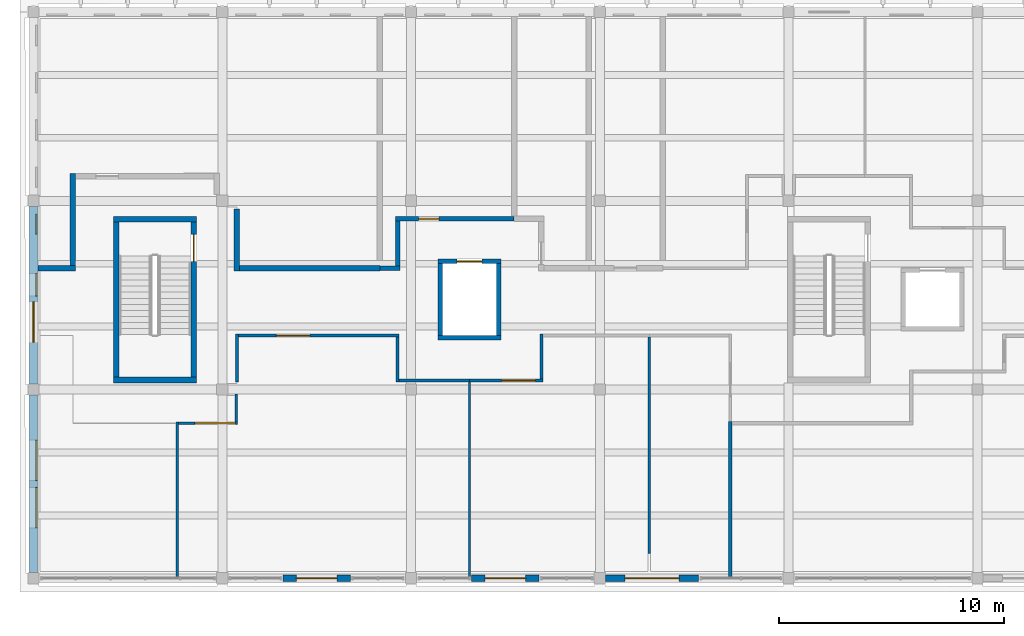
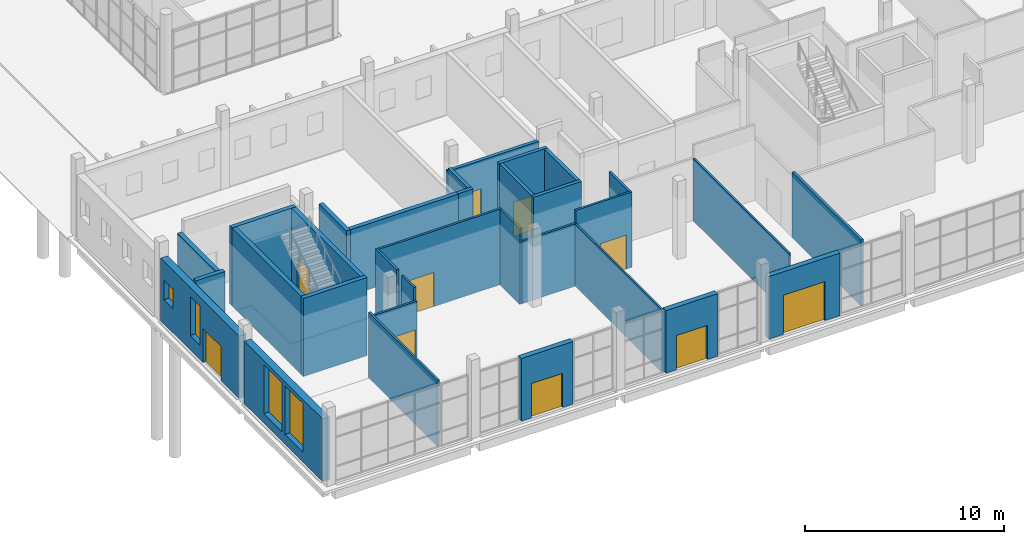
# One storey, part 53 of 110: 32 walls, 10 doors, 4 windows, 14 openings.
"""IFC4 building model written with IfcOpenShell, lengths in metres."""

from ifc_helpers import new_model, si_unit, direction, frame, frame_2d, origin, place, context, subcontext, project, spatial, rectangle, extrude, material, layer, layer_set, type_object, element, fill, save


model = new_model("IFC4")

# Units and contexts
model_context = context("Model", 3, precision=1e-05, world=origin(), true_north=direction((0.0, 1.0)))
body_context = subcontext(model_context, "Body", "Model", "MODEL_VIEW")
ifc_project = project(units=[si_unit("LENGTHUNIT", "METRE"), si_unit("AREAUNIT", "SQUARE_METRE"), si_unit("VOLUMEUNIT", "CUBIC_METRE"), si_unit("PLANEANGLEUNIT", "RADIAN"), si_unit("MASSUNIT", "GRAM", prefix="KILO")], contexts=[model_context])

# Site, building, storey
site_placement = place(None, origin())
site = spatial("IfcSite", under=ifc_project, at=site_placement, CompositionType="ELEMENT")
building_placement = place(site_placement, origin())
building = spatial("IfcBuilding", under=site, at=building_placement, Name="Larchfold Concert Hall", CompositionType="ELEMENT")
storey_placement = place(building_placement, origin())
storey = spatial("IfcBuildingStorey", under=building, at=storey_placement, Name="L00", CompositionType="ELEMENT", Elevation=0.0)

# Wall, opening, door
ifc_material_1 = material(Name="Plasterboard partition on steel studs", Category="steel")
ifc_layer_1 = layer(ifc_material_1, 0.199951171875)
ifc_layer_set_1 = layer_set([ifc_layer_1], Name="Plasterboard partition on steel studs")
wall_type_1 = type_object("IfcWallType", Name="Acoustic partition 200", PredefinedType="PARTITIONING", material=ifc_layer_set_1)
wall_1_placement = place(storey_placement, frame((16.700927734375, 16.59912109375, 0.0), z_axis=(0.0, 0.0, 1.0), x_axis=(1.0, 0.0, 0.0)))
wall_1 = element("IfcWall", 1, at=wall_1_placement, inside=storey, type_object=wall_type_1, Name="Partition IW0146", PredefinedType="PARTITIONING", context=body_context, shape_type="SweptSolid", body=[
    extrude(rectangle(XDim=5.279052734375, YDim=0.199951171875, at=frame_2d((2.6396484375, 0.0))), origin(), (0.0, 0.0, 1.0), 3.840087890625),
])
opening_1_placement = place(wall_1_placement, frame((1.0390625, 0.0, 0.0)))
opening_1 = element("IfcOpeningElement", 2, at=opening_1_placement, cuts=wall_1, Name="Opening D-L00-147", PredefinedType="OPENING", context=body_context, shape_type="SweptSolid", body=[
    extrude(rectangle(XDim=0.89990234375, YDim=2.10009765625, at=frame_2d((0.449951171875, 1.050048828125))), frame((0.0, 0.10986328125, 0.0), z_axis=(0.0, -1.0, 0.0), x_axis=(1.0, 0.0, 0.0)), (0.0, 0.0, 1.0), 0.219970703125),
])
ifc_material_2 = material(Name="Timber door leaf", Category="wood")
door_type_1 = type_object("IfcDoorType", Name="Control room door 900 x 2100 FD60S", OperationType="SINGLE_SWING_LEFT", PredefinedType="DOOR", material=ifc_material_2)
door_1_placement = place(opening_1_placement, origin())
door_1 = element("IfcDoor", 3, at=door_1_placement, inside=storey, type_object=door_type_1, Name="Door D-L00-147", OperationType="SINGLE_SWING_LEFT", OverallHeight=2.10009765625, OverallWidth=0.89990234375, PredefinedType="DOOR", context=body_context, shape_type="SweptSolid", body=[
    extrude(rectangle(XDim=0.89990234375, YDim=2.10009765625, at=frame_2d((0.449951171875, 1.050048828125))), frame((0.0, 0.02490234375, 0.0), z_axis=(0.0, -1.0, 0.0), x_axis=(1.0, 0.0, 0.0)), (0.0, 0.0, 1.0), 0.050048828125),
])
fill(opening_1, door_1)

# Walls
wall_2_placement = place(storey_placement, frame((16.02001953125, 14.39892578125, 0.0), z_axis=(0.0, 0.0, 1.0), x_axis=(1.0, 0.0, 0.0)))
element("IfcWall", 4, at=wall_2_placement, inside=storey, type_object=wall_type_1, Name="Partition IW0147", PredefinedType="PARTITIONING", context=body_context, shape_type="SweptSolid", body=[
    extrude(rectangle(XDim=0.880859375, YDim=0.199951171875, at=frame_2d((0.4404296875, 0.0))), origin(), (0.0, 0.0, 1.0), 4.0400390625),
])
wall_3_placement = place(storey_placement, frame((16.801025390625, 14.4990234375, 0.0), z_axis=(0.0, 0.0, 1.0), x_axis=(0.0, 1.0, 0.0)))
element("IfcWall", 5, at=wall_3_placement, inside=storey, type_object=wall_type_1, Name="Partition IW0148", PredefinedType="PARTITIONING", context=body_context, shape_type="SweptSolid", body=[
    extrude(rectangle(XDim=2.0, YDim=0.199951171875, at=frame_2d((1.0, 0.0))), origin(), (0.0, 0.0, 1.0), 4.0400390625),
])
ifc_material_3 = material(Name="Plasterboard partition on steel studs", Category="steel")
ifc_layer_2 = layer(ifc_material_3, 0.125)
ifc_layer_set_2 = layer_set([ifc_layer_2], Name="Plasterboard partition on steel studs")
wall_type_2 = type_object("IfcWallType", Name="Corridor partition 125 EI 60", PredefinedType="PARTITIONING", material=ifc_layer_set_2)
wall_4_placement = place(storey_placement, frame((7.0, 7.5625, 0.0), z_axis=(0.0, 0.0, 1.0), x_axis=(0.0, -1.0, 0.0)))
element("IfcWall", 6, at=wall_4_placement, inside=storey, type_object=wall_type_2, Name="Partition IW0109", PredefinedType="PARTITIONING", context=body_context, shape_type="SweptSolid", body=[
    extrude(rectangle(XDim=6.90234375, YDim=0.125, at=frame_2d((3.451171875, 0.0))), origin(), (0.0, 0.0, 1.0), 4.0400390625),
])

# Wall, opening, door
wall_5_placement = place(storey_placement, frame((7.0625, 7.5, 0.0), z_axis=(0.0, 0.0, 1.0), x_axis=(1.0, 0.0, 0.0)))
wall_5 = element("IfcWall", 7, at=wall_5_placement, inside=storey, type_object=wall_type_2, Name="Partition IW0111", PredefinedType="PARTITIONING", context=body_context, shape_type="SweptSolid", body=[
    extrude(rectangle(XDim=2.618896484375, YDim=0.125, at=frame_2d((1.3095703125, 0.0))), origin(), (0.0, 0.0, 1.0), 3.840087890625),
])
opening_2_placement = place(wall_5_placement, frame((0.718994140625, 0.0, 0.0)))
opening_2 = element("IfcOpeningElement", 8, at=opening_2_placement, cuts=wall_5, Name="Opening D-L00-228", PredefinedType="OPENING", context=body_context, shape_type="SweptSolid", body=[
    extrude(rectangle(XDim=1.800048828125, YDim=2.10009765625, at=frame_2d((0.89990234375, 1.050048828125))), frame((0.0, 0.072509765625, 0.0), z_axis=(0.0, -1.0, 0.0), x_axis=(1.0, 0.0, 0.0)), (0.0, 0.0, 1.0), 0.14501953125),
])
ifc_material_4 = material(Name="Anodised graphite aluminium door leaf", Category="aluminium")
door_type_2 = type_object("IfcDoorType", Name="Exit door double 1800x2100", OperationType="DOUBLE_DOOR_SINGLE_SWING", PredefinedType="DOOR", material=ifc_material_4)
door_2_placement = place(opening_2_placement, origin())
door_2 = element("IfcDoor", 9, at=door_2_placement, inside=storey, type_object=door_type_2, Name="Door D-L00-228", OperationType="DOUBLE_DOOR_SINGLE_SWING", OverallHeight=2.10009765625, OverallWidth=1.800048828125, PredefinedType="DOOR", context=body_context, shape_type="SweptSolid", body=[
    extrude(rectangle(XDim=1.800048828125, YDim=2.10009765625, at=frame_2d((0.89990234375, 1.050048828125))), frame((0.0, 0.02490234375, 0.0), z_axis=(0.0, -1.0, 0.0), x_axis=(1.0, 0.0, 0.0)), (0.0, 0.0, 1.0), 0.050048828125),
])
fill(opening_2, door_2)

# Walls
wall_6_placement = place(storey_placement, frame((9.618896484375, 7.5625, 0.0), z_axis=(0.0, 0.0, 1.0), x_axis=(0.0, 1.0, 0.0)))
element("IfcWall", 10, at=wall_6_placement, inside=storey, type_object=wall_type_2, Name="Partition IW0112", PredefinedType="PARTITIONING", context=body_context, shape_type="SweptSolid", body=[
    extrude(rectangle(XDim=1.22998046875, YDim=0.125, at=frame_2d((0.614990234375, 0.0))), origin(), (0.0, 0.0, 1.0), 4.639892578125),
])
wall_7_placement = place(storey_placement, frame((9.64990234375, 9.33251953125, 0.0), z_axis=(0.0, 0.0, 1.0), x_axis=(0.0, 1.0, 0.0)))
element("IfcWall", 11, at=wall_7_placement, inside=storey, type_object=wall_type_2, Name="Partition IW0113", PredefinedType="PARTITIONING", context=body_context, shape_type="SweptSolid", body=[
    extrude(rectangle(XDim=2.1298828125, YDim=0.125, at=frame_2d((1.06494140625, 0.0))), origin(), (0.0, 0.0, 1.0), 4.639892578125),
])

# Wall, opening, door
wall_8_placement = place(storey_placement, frame((9.71240234375, 11.39990234375, 0.0), z_axis=(0.0, 0.0, 1.0), x_axis=(1.0, 0.0, 0.0)))
wall_8 = element("IfcWall", 12, at=wall_8_placement, inside=storey, type_object=wall_type_2, Name="Partition IW0114", PredefinedType="PARTITIONING", context=body_context, shape_type="SweptSolid", body=[
    extrude(rectangle(XDim=7.150146484375, YDim=0.125, at=frame_2d((3.5751953125, 0.0))), origin(), (0.0, 0.0, 1.0), 4.639892578125),
])
opening_3_placement = place(wall_8_placement, frame((1.69140625, 0.0, 0.0)))
opening_3 = element("IfcOpeningElement", 13, at=opening_3_placement, cuts=wall_8, Name="Opening D-L00-136", PredefinedType="OPENING", context=body_context, shape_type="SweptSolid", body=[
    extrude(rectangle(XDim=1.5, YDim=2.10009765625, at=frame_2d((0.75, 1.050048828125))), frame((0.0, 0.072509765625, 0.0), z_axis=(0.0, -1.0, 0.0), x_axis=(1.0, 0.0, 0.0)), (0.0, 0.0, 1.0), 0.14501953125),
])
ifc_material_5 = material(Name="Timber door leaf", Category="wood")
door_type_3 = type_object("IfcDoorType", Name="Cafe, shop and cloakroom door pair 1500 x 2100 FD30S", OperationType="SINGLE_SWING_LEFT", PredefinedType="DOOR", material=ifc_material_5)
door_3_placement = place(opening_3_placement, origin())
door_3 = element("IfcDoor", 14, at=door_3_placement, inside=storey, type_object=door_type_3, Name="Door D-L00-136", OperationType="DOUBLE_DOOR_SINGLE_SWING", OverallHeight=2.10009765625, OverallWidth=1.5, PredefinedType="DOOR", context=body_context, shape_type="SweptSolid", body=[
    extrude(rectangle(XDim=1.5, YDim=2.10009765625, at=frame_2d((0.75, 1.050048828125))), frame((0.0, 0.02490234375, 0.0), z_axis=(0.0, -1.0, 0.0), x_axis=(1.0, 0.0, 0.0)), (0.0, 0.0, 1.0), 0.050048828125),
])
fill(opening_3, door_3)

# Walls
wall_9_placement = place(storey_placement, frame((16.800048828125, 11.33740234375, 0.0), z_axis=(0.0, 0.0, 1.0), x_axis=(0.0, -1.0, 0.0)))
element("IfcWall", 15, at=wall_9_placement, inside=storey, type_object=wall_type_2, Name="Partition IW0115", PredefinedType="PARTITIONING", context=body_context, shape_type="SweptSolid", body=[
    extrude(rectangle(XDim=2.0, YDim=0.125, at=frame_2d((1.0, 0.0))), origin(), (0.0, 0.0, 1.0), 4.639892578125),
])
wall_10_placement = place(storey_placement, frame((16.862548828125, 9.39990234375, 0.0), z_axis=(0.0, 0.0, 1.0), x_axis=(1.0, 0.0, 0.0)))
element("IfcWall", 16, at=wall_10_placement, inside=storey, type_object=wall_type_2, Name="Partition IW0116", PredefinedType="PARTITIONING", context=body_context, shape_type="SweptSolid", body=[
    extrude(rectangle(XDim=3.137451171875, YDim=0.125, at=frame_2d((1.56884765625, 0.0))), origin(), (0.0, 0.0, 1.0), 3.840087890625),
])

# Wall, opening, door
wall_11_placement = place(storey_placement, frame((20.0, 9.39990234375, 0.0), z_axis=(0.0, 0.0, 1.0), x_axis=(1.0, 0.0, 0.0)))
wall_11 = element("IfcWall", 17, at=wall_11_placement, inside=storey, type_object=wall_type_2, Name="Partition IW0124", PredefinedType="PARTITIONING", context=body_context, shape_type="SweptSolid", body=[
    extrude(rectangle(XDim=3.262451171875, YDim=0.125, at=frame_2d((1.63134765625, 0.0))), origin(), (0.0, 0.0, 1.0), 4.639892578125),
])
opening_4_placement = place(wall_11_placement, frame((1.435791015625, 0.0, 0.0)))
opening_4 = element("IfcOpeningElement", 18, at=opening_4_placement, cuts=wall_11, Name="Opening D-L00-139", PredefinedType="OPENING", context=body_context, shape_type="SweptSolid", body=[
    extrude(rectangle(XDim=1.5, YDim=2.10009765625, at=frame_2d((0.75, 1.050048828125))), frame((0.0, 0.072509765625, 0.0), z_axis=(0.0, -1.0, 0.0), x_axis=(1.0, 0.0, 0.0)), (0.0, 0.0, 1.0), 0.14501953125),
])
door_4_placement = place(opening_4_placement, origin())
door_4 = element("IfcDoor", 19, at=door_4_placement, inside=storey, type_object=door_type_3, Name="Door D-L00-139", OperationType="DOUBLE_DOOR_SINGLE_SWING", OverallHeight=2.10009765625, OverallWidth=1.5, PredefinedType="DOOR", context=body_context, shape_type="SweptSolid", body=[
    extrude(rectangle(XDim=1.5, YDim=2.10009765625, at=frame_2d((0.75, 1.050048828125))), frame((0.0, 0.02490234375, 0.0), z_axis=(0.0, -1.0, 0.0), x_axis=(1.0, 0.0, 0.0)), (0.0, 0.0, 1.0), 0.050048828125),
])
fill(opening_4, door_4)

# Wall
wall_12_placement = place(storey_placement, frame((23.199951171875, 9.46240234375, 0.0), z_axis=(0.0, 0.0, 1.0), x_axis=(0.0, 1.0, 0.0)))
element("IfcWall", 20, at=wall_12_placement, inside=storey, type_object=wall_type_2, Name="Partition IW0125", PredefinedType="PARTITIONING", context=body_context, shape_type="SweptSolid", body=[
    extrude(rectangle(XDim=2.0, YDim=0.125, at=frame_2d((1.0, 0.0))), origin(), (0.0, 0.0, 1.0), 4.639892578125),
])

# Wall, opening, door
ifc_material_6 = material(Name="Larch cladding on mineral wool and CLT", Category="wood")
ifc_layer_3 = layer(ifc_material_6, 0.300048828125)
ifc_layer_set_3 = layer_set([ifc_layer_3], Name="Larch cladding on mineral wool and CLT")
wall_type_3 = type_object("IfcWallType", Name="Entrance bay wall 300", PredefinedType="SOLIDWALL", material=ifc_layer_set_3)
wall_13_placement = place(storey_placement, frame((26.050048828125, 0.60009765625, 0.0), z_axis=(0.0, 0.0, 1.0), x_axis=(1.0, 0.0, 0.0)))
wall_13 = element("IfcWall", 21, at=wall_13_placement, inside=storey, type_object=wall_type_3, Name="Infill wall W5185", PredefinedType="SOLIDWALL", context=body_context, shape_type="SweptSolid", body=[
    extrude(rectangle(XDim=4.14990234375, YDim=0.300048828125, at=frame_2d((2.074951171875, 0.0))), origin(), (0.0, 0.0, 1.0), 3.840087890625),
])
opening_5_placement = place(wall_13_placement, frame((0.875, 0.0, 0.0)))
opening_5 = element("IfcOpeningElement", 22, at=opening_5_placement, cuts=wall_13, Name="Opening D-L00-229", PredefinedType="OPENING", context=body_context, shape_type="SweptSolid", body=[
    extrude(rectangle(XDim=2.39990234375, YDim=2.39990234375, at=frame_2d((1.199951171875, 1.199951171875))), frame((0.0, 0.16015625, 0.0), z_axis=(0.0, -1.0, 0.0), x_axis=(1.0, 0.0, 0.0)), (0.0, 0.0, 1.0), 0.320068359375),
])
ifc_material_7 = material(Name="Anodised graphite aluminium door leaf", Category="aluminium")
door_type_4 = type_object("IfcDoorType", Name="Entrance door double 2400x2400", OperationType="DOUBLE_DOOR_SINGLE_SWING", PredefinedType="DOOR", material=ifc_material_7)
door_5_placement = place(opening_5_placement, origin())
door_5 = element("IfcDoor", 23, at=door_5_placement, inside=storey, type_object=door_type_4, Name="Door D-L00-229", OperationType="DOUBLE_DOOR_SINGLE_SWING", OverallHeight=2.39990234375, OverallWidth=2.39990234375, PredefinedType="DOOR", context=body_context, shape_type="SweptSolid", body=[
    extrude(rectangle(XDim=2.39990234375, YDim=2.39990234375, at=frame_2d((1.199951171875, 1.199951171875))), frame((0.0, 0.02490234375, 0.0), z_axis=(0.0, -1.0, 0.0), x_axis=(1.0, 0.0, 0.0)), (0.0, 0.0, 1.0), 0.050048828125),
])
fill(opening_5, door_5)

wall_14_placement = place(storey_placement, frame((11.699951171875, 0.60009765625, 0.0), z_axis=(0.0, 0.0, 1.0), x_axis=(1.0, 0.0, 0.0)))
wall_14 = element("IfcWall", 24, at=wall_14_placement, inside=storey, type_object=wall_type_3, Name="Infill wall W5187", PredefinedType="SOLIDWALL", context=body_context, shape_type="SweptSolid", body=[
    extrude(rectangle(XDim=3.0, YDim=0.300048828125, at=frame_2d((1.5, 0.0))), origin(), (0.0, 0.0, 1.0), 3.840087890625),
])
opening_6_placement = place(wall_14_placement, frame((2.400146484375, 0.0, 0.0), z_axis=(0.0, 0.0, 1.0), x_axis=(-1.0, 0.0, 0.0)))
opening_6 = element("IfcOpeningElement", 25, at=opening_6_placement, cuts=wall_14, Name="Opening D-L00-233", PredefinedType="OPENING", context=body_context, shape_type="SweptSolid", body=[
    extrude(rectangle(XDim=1.800048828125, YDim=2.10009765625, at=frame_2d((0.89990234375, 1.050048828125))), frame((0.0, 0.16015625, 0.0), z_axis=(0.0, -1.0, 0.0), x_axis=(1.0, 0.0, 0.0)), (0.0, 0.0, 1.0), 0.320068359375),
])
door_6_placement = place(opening_6_placement, origin())
door_6 = element("IfcDoor", 26, at=door_6_placement, inside=storey, type_object=door_type_2, Name="Door D-L00-233", OperationType="DOUBLE_DOOR_SINGLE_SWING", OverallHeight=2.10009765625, OverallWidth=1.800048828125, PredefinedType="DOOR", context=body_context, shape_type="SweptSolid", body=[
    extrude(rectangle(XDim=1.800048828125, YDim=2.10009765625, at=frame_2d((0.89990234375, 1.050048828125))), frame((0.0, 0.02490234375, 0.0), z_axis=(0.0, -1.0, 0.0), x_axis=(1.0, 0.0, 0.0)), (0.0, 0.0, 1.0), 0.050048828125),
])
fill(opening_6, door_6)

wall_15_placement = place(storey_placement, frame((20.10009765625, 0.60009765625, 0.0), z_axis=(0.0, 0.0, 1.0), x_axis=(1.0, 0.0, 0.0)))
wall_15 = element("IfcWall", 27, at=wall_15_placement, inside=storey, type_object=wall_type_3, Name="Infill wall W5188", PredefinedType="SOLIDWALL", context=body_context, shape_type="SweptSolid", body=[
    extrude(rectangle(XDim=3.0, YDim=0.300048828125, at=frame_2d((1.5, 0.0))), origin(), (0.0, 0.0, 1.0), 3.840087890625),
])
opening_7_placement = place(wall_15_placement, frame((2.400146484375, 0.0, 0.0), z_axis=(0.0, 0.0, 1.0), x_axis=(-1.0, 0.0, 0.0)))
opening_7 = element("IfcOpeningElement", 28, at=opening_7_placement, cuts=wall_15, Name="Opening D-L00-234", PredefinedType="OPENING", context=body_context, shape_type="SweptSolid", body=[
    extrude(rectangle(XDim=1.800048828125, YDim=2.10009765625, at=frame_2d((0.89990234375, 1.050048828125))), frame((0.0, 0.16015625, 0.0), z_axis=(0.0, -1.0, 0.0), x_axis=(1.0, 0.0, 0.0)), (0.0, 0.0, 1.0), 0.320068359375),
])
door_7_placement = place(opening_7_placement, origin())
door_7 = element("IfcDoor", 29, at=door_7_placement, inside=storey, type_object=door_type_2, Name="Door D-L00-234", OperationType="DOUBLE_DOOR_SINGLE_SWING", OverallHeight=2.10009765625, OverallWidth=1.800048828125, PredefinedType="DOOR", context=body_context, shape_type="SweptSolid", body=[
    extrude(rectangle(XDim=1.800048828125, YDim=2.10009765625, at=frame_2d((0.89990234375, 1.050048828125))), frame((0.0, 0.02490234375, 0.0), z_axis=(0.0, -1.0, 0.0), x_axis=(1.0, 0.0, 0.0)), (0.0, 0.0, 1.0), 0.050048828125),
])
fill(opening_7, door_7)

# Walls
ifc_material_8 = material(Name="Plasterboard partition on steel studs", Category="steel")
ifc_layer_4 = layer(ifc_material_8, 0.25)
ifc_layer_set_4 = layer_set([ifc_layer_4], Name="Plasterboard partition on steel studs")
wall_type_4 = type_object("IfcWallType", Name="Hall acoustic double-leaf partition 250", PredefinedType="PARTITIONING", material=ifc_layer_set_4)
wall_16_placement = place(storey_placement, frame((0.800048828125, 14.39990234375, 0.0), z_axis=(0.0, 0.0, 1.0), x_axis=(1.0, 0.0, 0.0)))
element("IfcWall", 30, at=wall_16_placement, inside=storey, type_object=wall_type_4, Name="Partition IW0129", PredefinedType="PARTITIONING", context=body_context, shape_type="SweptSolid", body=[
    extrude(rectangle(XDim=1.676025390625, YDim=0.25, at=frame_2d((0.837890625, 0.0))), origin(), (0.0, 0.0, 1.0), 4.0400390625),
])
wall_17_placement = place(storey_placement, frame((2.35107421875, 14.52490234375, 0.0), z_axis=(0.0, 0.0, 1.0), x_axis=(0.0, 1.0, 0.0)))
element("IfcWall", 31, at=wall_17_placement, inside=storey, type_object=wall_type_4, Name="Partition IW0130", PredefinedType="PARTITIONING", context=body_context, shape_type="SweptSolid", body=[
    extrude(rectangle(XDim=4.09912109375, YDim=0.25, at=frame_2d((2.049560546875, 0.0))), origin(), (0.0, 0.0, 1.0), 3.840087890625),
])
wall_18_placement = place(storey_placement, frame((9.64892578125, 17.034912109375, 0.0), z_axis=(0.0, 0.0, 1.0), x_axis=(0.000442125697, -0.999999902262, 0.0)))
element("IfcWall", 32, at=wall_18_placement, inside=storey, type_object=wall_type_4, Name="Partition IW0133", PredefinedType="PARTITIONING", context=body_context, shape_type="SweptSolid", body=[
    extrude(rectangle(XDim=2.760986328125, YDim=0.25, at=frame_2d((1.38037109375, 0.0))), origin(), (0.0, 0.0, 1.0), 4.0400390625),
])
wall_19_placement = place(storey_placement, frame((9.77490234375, 14.39892578125, 0.0), z_axis=(0.0, 0.0, 1.0), x_axis=(1.0, 0.0, 0.0)))
element("IfcWall", 33, at=wall_19_placement, inside=storey, type_object=wall_type_4, Name="Partition IW0134", PredefinedType="PARTITIONING", context=body_context, shape_type="SweptSolid", body=[
    extrude(rectangle(XDim=6.2451171875, YDim=0.25, at=frame_2d((3.12255859375, 0.0))), origin(), (0.0, 0.0, 1.0), 4.0400390625),
])

# Wall, openings, door, windows
ifc_material_9 = material(Name="Larch cladding on mineral wool and CLT", Category="wood")
ifc_layer_5 = layer(ifc_material_9, 0.39990234375)
ifc_layer_set_5 = layer_set([ifc_layer_5], Name="Larch cladding on mineral wool and CLT")
wall_type_5 = type_object("IfcWallType", Name="Larch clad infill wall 400", PredefinedType="SOLIDWALL", material=ifc_layer_set_5)
wall_20_placement = place(storey_placement, frame((0.60009765625, 17.14990234375, 0.0), z_axis=(0.0, 0.0, 1.0), x_axis=(0.0, -1.0, 0.0)))
wall_20 = element("IfcWall", 34, at=wall_20_placement, inside=storey, type_object=wall_type_5, Name="Infill wall W5012", PredefinedType="SOLIDWALL", context=body_context, shape_type="SweptSolid", body=[
    extrude(rectangle(XDim=7.89990234375, YDim=0.39990234375, at=frame_2d((3.949951171875, 0.0))), origin(), (0.0, 0.0, 1.0), 3.840087890625),
])
opening_8_placement = place(wall_20_placement, frame((6.050048828125, 0.0, 0.0), z_axis=(0.0, 0.0, 1.0), x_axis=(-1.0, 0.0, 0.0)))
opening_8 = element("IfcOpeningElement", 35, at=opening_8_placement, cuts=wall_20, Name="Opening D-L00-232", PredefinedType="OPENING", context=body_context, shape_type="SweptSolid", body=[
    extrude(rectangle(XDim=1.800048828125, YDim=2.10009765625, at=frame_2d((0.89990234375, 1.050048828125))), frame((0.0, 0.2099609375, 0.0), z_axis=(0.0, -1.0, 0.0), x_axis=(1.0, 0.0, 0.0)), (0.0, 0.0, 1.0), 0.419921875),
])
opening_9_placement = place(wall_20_placement, frame((2.987548828125, 0.0, 0.89990234375)))
opening_9 = element("IfcOpeningElement", 36, at=opening_9_placement, cuts=wall_20, Name="Opening WN-L00-028", PredefinedType="OPENING", context=body_context, shape_type="SweptSolid", body=[
    extrude(rectangle(XDim=1.0, YDim=2.39990234375, at=frame_2d((0.5, 1.199951171875))), frame((0.0, 0.2099609375, 0.0), z_axis=(0.0, -1.0, 0.0), x_axis=(1.0, 0.0, 0.0)), (0.0, 0.0, 1.0), 0.419921875),
])
opening_10_placement = place(wall_20_placement, frame((0.349853515625, 0.0, 1.5)))
opening_10 = element("IfcOpeningElement", 37, at=opening_10_placement, cuts=wall_20, Name="Opening WN-L00-029", PredefinedType="OPENING", context=body_context, shape_type="SweptSolid", body=[
    extrude(rectangle(XDim=0.89990234375, YDim=1.199951171875, at=frame_2d((0.449951171875, 0.60009765625))), frame((0.0, 0.2099609375, 0.0), z_axis=(0.0, -1.0, 0.0), x_axis=(1.0, 0.0, 0.0)), (0.0, 0.0, 1.0), 0.419921875),
])
door_8_placement = place(opening_8_placement, origin())
door_8 = element("IfcDoor", 38, at=door_8_placement, inside=storey, type_object=door_type_2, Name="Door D-L00-232", OperationType="DOUBLE_DOOR_SINGLE_SWING", OverallHeight=2.10009765625, OverallWidth=1.800048828125, PredefinedType="DOOR", context=body_context, shape_type="SweptSolid", body=[
    extrude(rectangle(XDim=1.800048828125, YDim=2.10009765625, at=frame_2d((0.89990234375, 1.050048828125))), frame((0.0, 0.02490234375, 0.0), z_axis=(0.0, -1.0, 0.0), x_axis=(1.0, 0.0, 0.0)), (0.0, 0.0, 1.0), 0.050048828125),
])
fill(opening_8, door_8)
ifc_material_10 = material(Name="Anodised graphite aluminium frame with laminated acoustic glass", Category="aluminium")
window_type_1 = type_object("IfcWindowType", Name="Recording studio window 900x1200", PartitioningType="SINGLE_PANEL", PredefinedType="WINDOW", material=ifc_material_10)
window_1_placement = place(opening_10_placement, origin())
window_1 = element("IfcWindow", 39, at=window_1_placement, inside=storey, type_object=window_type_1, Name="Window WN-L00-029", OverallHeight=1.199951171875, OverallWidth=0.89990234375, PartitioningType="SINGLE_PANEL", PredefinedType="WINDOW", context=body_context, shape_type="SweptSolid", body=[
    extrude(rectangle(XDim=0.89990234375, YDim=1.199951171875, at=frame_2d((0.449951171875, 0.60009765625))), frame((0.0, 0.150146484375, 0.0), z_axis=(0.0, -1.0, 0.0), x_axis=(1.0, 0.0, 0.0)), (0.0, 0.0, 1.0), 0.06005859375),
])
fill(opening_10, window_1)
ifc_material_11 = material(Name="Anodised graphite aluminium frame with glass", Category="aluminium")
window_type_2 = type_object("IfcWindowType", Name="Slot window 1000x2400", PartitioningType="SINGLE_PANEL", PredefinedType="WINDOW", material=ifc_material_11)
window_2_placement = place(opening_9_placement, origin())
window_2 = element("IfcWindow", 40, at=window_2_placement, inside=storey, type_object=window_type_2, Name="Window WN-L00-028", OverallHeight=2.39990234375, OverallWidth=1.0, PartitioningType="SINGLE_PANEL", PredefinedType="WINDOW", context=body_context, shape_type="SweptSolid", body=[
    extrude(rectangle(XDim=1.0, YDim=2.39990234375, at=frame_2d((0.5, 1.199951171875))), frame((0.0, 0.150146484375, 0.0), z_axis=(0.0, -1.0, 0.0), x_axis=(1.0, 0.0, 0.0)), (0.0, 0.0, 1.0), 0.06005859375),
])
fill(opening_9, window_2)

# Wall, openings, windows
wall_21_placement = place(storey_placement, frame((0.60009765625, 8.75, 0.0), z_axis=(0.0, 0.0, 1.0), x_axis=(0.0, -1.0, 0.0)))
wall_21 = element("IfcWall", 41, at=wall_21_placement, inside=storey, type_object=wall_type_5, Name="Infill wall W5013", PredefinedType="SOLIDWALL", context=body_context, shape_type="SweptSolid", body=[
    extrude(rectangle(XDim=7.89990234375, YDim=0.39990234375, at=frame_2d((3.949951171875, 0.0))), origin(), (0.0, 0.0, 1.0), 3.840087890625),
])
opening_11_placement = place(wall_21_placement, frame((4.10009765625, 0.0, 0.60009765625)))
opening_11 = element("IfcOpeningElement", 42, at=opening_11_placement, cuts=wall_21, Name="Opening WN-L00-030", PredefinedType="OPENING", context=body_context, shape_type="SweptSolid", body=[
    extrude(rectangle(XDim=1.800048828125, YDim=3.0, at=frame_2d((0.89990234375, 1.5))), frame((0.0, 0.2099609375, 0.0), z_axis=(0.0, -1.0, 0.0), x_axis=(1.0, 0.0, 0.0)), (0.0, 0.0, 1.0), 0.419921875),
])
opening_12_placement = place(wall_21_placement, frame((2.0, 0.0, 0.60009765625)))
opening_12 = element("IfcOpeningElement", 43, at=opening_12_placement, cuts=wall_21, Name="Opening WN-L00-031", PredefinedType="OPENING", context=body_context, shape_type="SweptSolid", body=[
    extrude(rectangle(XDim=1.800048828125, YDim=3.0, at=frame_2d((0.89990234375, 1.5))), frame((0.0, 0.2099609375, 0.0), z_axis=(0.0, -1.0, 0.0), x_axis=(1.0, 0.0, 0.0)), (0.0, 0.0, 1.0), 0.419921875),
])
ifc_material_12 = material(Name="Anodised graphite aluminium frame with glass", Category="aluminium")
window_type_3 = type_object("IfcWindowType", Name="Foyer tall window 1800x3000", PartitioningType="DOUBLE_PANEL_VERTICAL", PredefinedType="WINDOW", material=ifc_material_12)
window_3_placement = place(opening_11_placement, origin())
window_3 = element("IfcWindow", 44, at=window_3_placement, inside=storey, type_object=window_type_3, Name="Window WN-L00-030", OverallHeight=3.0, OverallWidth=1.800048828125, PartitioningType="DOUBLE_PANEL_VERTICAL", PredefinedType="WINDOW", context=body_context, shape_type="SweptSolid", body=[
    extrude(rectangle(XDim=1.800048828125, YDim=3.0, at=frame_2d((0.89990234375, 1.5))), frame((0.0, 0.150146484375, 0.0), z_axis=(0.0, -1.0, 0.0), x_axis=(1.0, 0.0, 0.0)), (0.0, 0.0, 1.0), 0.06005859375),
])
fill(opening_11, window_3)
window_4_placement = place(opening_12_placement, origin())
window_4 = element("IfcWindow", 45, at=window_4_placement, inside=storey, type_object=window_type_3, Name="Window WN-L00-031", OverallHeight=3.0, OverallWidth=1.800048828125, PartitioningType="DOUBLE_PANEL_VERTICAL", PredefinedType="WINDOW", context=body_context, shape_type="SweptSolid", body=[
    extrude(rectangle(XDim=1.800048828125, YDim=3.0, at=frame_2d((0.89990234375, 1.5))), frame((0.0, 0.150146484375, 0.0), z_axis=(0.0, -1.0, 0.0), x_axis=(1.0, 0.0, 0.0)), (0.0, 0.0, 1.0), 0.06005859375),
])
fill(opening_12, window_4)

# Walls
ifc_material_13 = material(Name="Plasterboard partition on steel studs", Category="steel")
ifc_layer_6 = layer(ifc_material_13, 0.14990234375)
ifc_layer_set_6 = layer_set([ifc_layer_6], Name="Plasterboard partition on steel studs")
wall_type_6 = type_object("IfcWallType", Name="Shaft and plant partition 150 EI 120", PredefinedType="PARTITIONING", material=ifc_layer_set_6)
wall_22_placement = place(storey_placement, frame((31.60009765625, 0.66015625, 0.0), z_axis=(0.0, 0.0, 1.0), x_axis=(0.0, 1.0, 0.0)))
element("IfcWall", 46, at=wall_22_placement, inside=storey, type_object=wall_type_6, Name="Partition IW0117", PredefinedType="PARTITIONING", context=body_context, shape_type="SweptSolid", body=[
    extrude(rectangle(XDim=6.914794921875, YDim=0.14990234375, at=frame_2d((3.45751953125, 0.0))), origin(), (0.0, 0.0, 1.0), 4.0400390625),
])
ifc_material_14 = material(Name="Plasterboard partition on steel studs", Category="steel")
ifc_layer_7 = layer(ifc_material_14, 0.10009765625)
ifc_layer_set_7 = layer_set([ifc_layer_7], Name="Plasterboard partition on steel studs")
wall_type_7 = type_object("IfcWallType", Name="Stud partition 100", PredefinedType="PARTITIONING", material=ifc_layer_set_7)
wall_23_placement = place(storey_placement, frame((20.0, 9.33740234375, 0.0), z_axis=(0.0, 0.0, 1.0), x_axis=(0.0, -1.0, 0.0)))
element("IfcWall", 47, at=wall_23_placement, inside=storey, type_object=wall_type_7, Name="Partition IW0110", PredefinedType="PARTITIONING", context=body_context, shape_type="SweptSolid", body=[
    extrude(rectangle(XDim=8.67724609375, YDim=0.10009765625, at=frame_2d((4.338623046875, 0.0))), origin(), (0.0, 0.0, 1.0), 3.840087890625),
])
wall_24_placement = place(storey_placement, frame((28.0, 11.33740234375, 0.0), z_axis=(0.0, 0.0, 1.0), x_axis=(0.0, -1.0, 0.0)))
element("IfcWall", 48, at=wall_24_placement, inside=storey, type_object=wall_type_7, Name="Partition IW0123", PredefinedType="PARTITIONING", context=body_context, shape_type="SweptSolid", body=[
    extrude(rectangle(XDim=9.63720703125, YDim=0.10009765625, at=frame_2d((4.818603515625, 0.0))), origin(), (0.0, 0.0, 1.0), 3.840087890625),
])
ifc_material_15 = material(Name="Concrete C40/50", Category="concrete")
ifc_layer_8 = layer(ifc_material_15, 0.199951171875)
ifc_layer_set_8 = layer_set([ifc_layer_8], Name="Concrete C40/50")
wall_type_8 = type_object("IfcWallType", Name="Wall RC 200 lift shaft", PredefinedType="SOLIDWALL", material=ifc_layer_set_8)
wall_25_placement = place(storey_placement, frame((18.60009765625, 11.300048828125, 0.0), z_axis=(0.0, 0.0, 1.0), x_axis=(1.0, 0.0, 0.0)))
element("IfcWall", 49, at=wall_25_placement, inside=storey, type_object=wall_type_8, Name="Wall W0177", PredefinedType="SOLIDWALL", context=body_context, shape_type="SweptSolid", body=[
    extrude(rectangle(XDim=2.7998046875, YDim=0.199951171875, at=frame_2d((1.39990234375, 0.0))), origin(), (0.0, 0.0, 1.0), 4.800048828125),
])

# Wall, opening, door
wall_26_placement = place(storey_placement, frame((18.60009765625, 14.699951171875, 0.0), z_axis=(0.0, 0.0, 1.0), x_axis=(1.0, 0.0, 0.0)))
wall_26 = element("IfcWall", 50, at=wall_26_placement, inside=storey, type_object=wall_type_8, Name="Wall W0178", PredefinedType="SOLIDWALL", context=body_context, shape_type="SweptSolid", body=[
    extrude(rectangle(XDim=2.7998046875, YDim=0.199951171875, at=frame_2d((1.39990234375, 0.0))), origin(), (0.0, 0.0, 1.0), 4.800048828125),
])
opening_13_placement = place(wall_26_placement, frame((0.849853515625, 0.0, 0.0)))
opening_13 = element("IfcOpeningElement", 51, at=opening_13_placement, cuts=wall_26, Name="Opening LD-LF10", PredefinedType="OPENING", context=body_context, shape_type="SweptSolid", body=[
    extrude(rectangle(XDim=1.10009765625, YDim=2.10009765625, at=frame_2d((0.550048828125, 1.050048828125))), frame((0.0, 0.10986328125, 0.0), z_axis=(0.0, -1.0, 0.0), x_axis=(1.0, 0.0, 0.0)), (0.0, 0.0, 1.0), 0.219970703125),
])
ifc_material_16 = material(Name="Stainless steel sliding leaves", Category="steel")
door_type_5 = type_object("IfcDoorType", Name="Lift landing door sliding 1100 x 2100", OperationType="SLIDING_TO_LEFT", PredefinedType="DOOR", material=ifc_material_16)
door_9_placement = place(opening_13_placement, origin())
door_9 = element("IfcDoor", 52, at=door_9_placement, inside=storey, type_object=door_type_5, Name="Lift landing door LF10", OperationType="SLIDING_TO_LEFT", OverallHeight=2.10009765625, OverallWidth=1.10009765625, PredefinedType="DOOR", context=body_context, shape_type="SweptSolid", body=[
    extrude(rectangle(XDim=1.10009765625, YDim=2.10009765625, at=frame_2d((0.550048828125, 1.050048828125))), frame((0.0, 0.02490234375, 0.0), z_axis=(0.0, -1.0, 0.0), x_axis=(1.0, 0.0, 0.0)), (0.0, 0.0, 1.0), 0.050048828125),
])
fill(opening_13, door_9)

# Walls
for number, where, z_axis, x_axis, name in (
    (53, (18.7001953125, 11.39990234375, 0.0), (0.0, 0.0, 1.0), (0.0, 1.0, 0.0), "Wall W0179"),
    (54, (21.2998046875, 11.39990234375, 0.0), (0.0, 0.0, 1.0), (0.0, 1.0, 0.0), "Wall W0180"),
):
    element("IfcWall", number, at=place(storey_placement, frame(where, z_axis=z_axis, x_axis=x_axis)), inside=storey, type_object=wall_type_8, Name=name, PredefinedType="SOLIDWALL", context=body_context, shape_type="SweptSolid", body=[
        extrude(rectangle(XDim=3.2001953125, YDim=0.199951171875, at=frame_2d((1.60009765625, 0.0))), origin(), (0.0, 0.0, 1.0), 4.800048828125),
    ])
ifc_material_17 = material(Name="Concrete C40/50", Category="concrete")
ifc_layer_9 = layer(ifc_material_17, 0.25)
ifc_layer_set_9 = layer_set([ifc_layer_9], Name="Concrete C40/50")
wall_type_9 = type_object("IfcWallType", Name="Wall RC 250 stair core", PredefinedType="SOLIDWALL", material=ifc_layer_set_9)
for number, where, z_axis, x_axis, name in (
    (55, (4.14990234375, 9.425048828125, 0.0), (0.0, 0.0, 1.0), (1.0, 0.0, 0.0), "Wall W0113"),
    (56, (4.14990234375, 16.574951171875, 0.0), (0.0, 0.0, 1.0), (1.0, 0.0, 0.0), "Wall W0114"),
):
    element("IfcWall", number, at=place(storey_placement, frame(where, z_axis=z_axis, x_axis=x_axis)), inside=storey, type_object=wall_type_9, Name=name, PredefinedType="SOLIDWALL", context=body_context, shape_type="SweptSolid", body=[
        extrude(rectangle(XDim=3.7001953125, YDim=0.25, at=frame_2d((1.85009765625, 0.0))), origin(), (0.0, 0.0, 1.0), 4.800048828125),
    ])
wall_27_placement = place(storey_placement, frame((4.27490234375, 9.550048828125, 0.0), z_axis=(0.0, 0.0, 1.0), x_axis=(0.0, 1.0, 0.0)))
element("IfcWall", 57, at=wall_27_placement, inside=storey, type_object=wall_type_9, Name="Wall W0115", PredefinedType="SOLIDWALL", context=body_context, shape_type="SweptSolid", body=[
    extrude(rectangle(XDim=6.89990234375, YDim=0.25, at=frame_2d((3.449951171875, 0.0))), origin(), (0.0, 0.0, 1.0), 4.800048828125),
])

# Wall, opening, door
wall_28_placement = place(storey_placement, frame((7.72509765625, 9.550048828125, 0.0), z_axis=(0.0, 0.0, 1.0), x_axis=(0.0, 1.0, 0.0)))
wall_28 = element("IfcWall", 58, at=wall_28_placement, inside=storey, type_object=wall_type_9, Name="Wall W0116", PredefinedType="SOLIDWALL", context=body_context, shape_type="SweptSolid", body=[
    extrude(rectangle(XDim=6.89990234375, YDim=0.25, at=frame_2d((3.449951171875, 0.0))), origin(), (0.0, 0.0, 1.0), 4.800048828125),
])
opening_14_placement = place(wall_28_placement, frame((5.14990234375, 0.0, 0.0)))
opening_14 = element("IfcOpeningElement", 59, at=opening_14_placement, cuts=wall_28, Name="Opening D-L00-174", PredefinedType="OPENING", context=body_context, shape_type="SweptSolid", body=[
    extrude(rectangle(XDim=1.199951171875, YDim=2.10009765625, at=frame_2d((0.60009765625, 1.050048828125))), frame((0.0, 0.135009765625, 0.0), z_axis=(0.0, -1.0, 0.0), x_axis=(1.0, 0.0, 0.0)), (0.0, 0.0, 1.0), 0.27001953125),
])
ifc_material_18 = material(Name="Timber door leaf", Category="wood")
door_type_6 = type_object("IfcDoorType", Name="Stair enclosure door pair 1200 x 2100 FD60", OperationType="SINGLE_SWING_LEFT", PredefinedType="DOOR", material=ifc_material_18)
door_10_placement = place(opening_14_placement, origin())
door_10 = element("IfcDoor", 60, at=door_10_placement, inside=storey, type_object=door_type_6, Name="Door D-L00-174", OperationType="DOUBLE_DOOR_SINGLE_SWING", OverallHeight=2.10009765625, OverallWidth=1.199951171875, PredefinedType="DOOR", context=body_context, shape_type="SweptSolid", body=[
    extrude(rectangle(XDim=1.199951171875, YDim=2.10009765625, at=frame_2d((0.60009765625, 1.050048828125))), frame((0.0, 0.02490234375, 0.0), z_axis=(0.0, -1.0, 0.0), x_axis=(1.0, 0.0, 0.0)), (0.0, 0.0, 1.0), 0.050048828125),
])
fill(opening_14, door_10)

save(model, "model.ifc")
